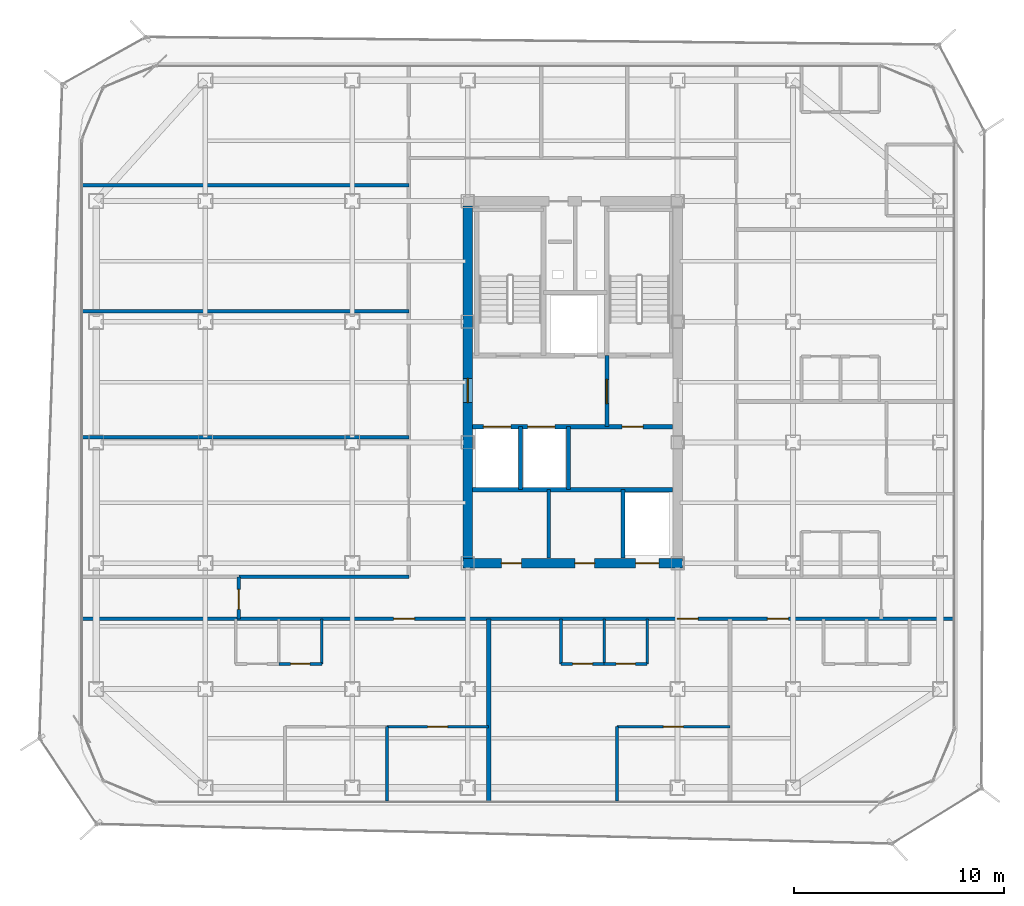
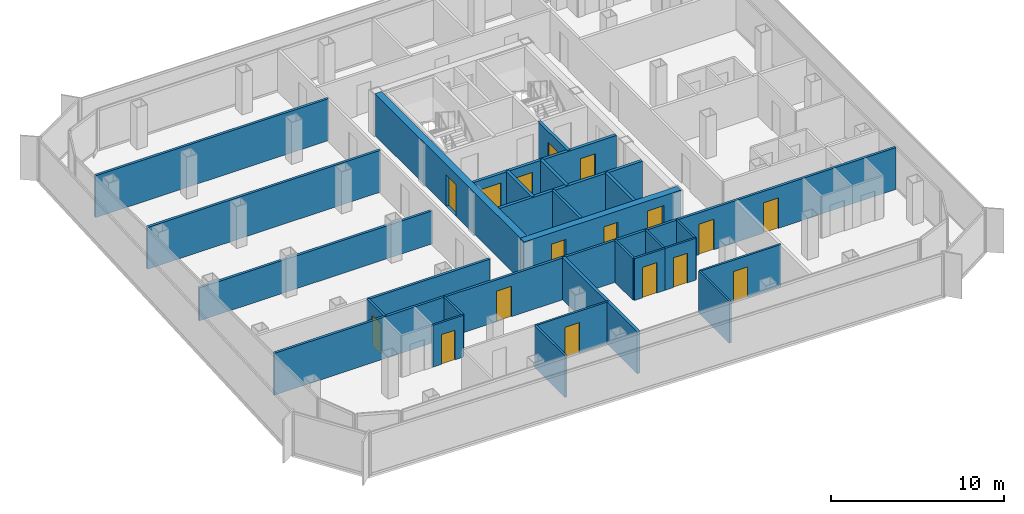
# One storey, part 10 of 15: 27 walls, 17 doors, 17 openings.
"""IFC4 building model written with IfcOpenShell, lengths in metres."""

from ifc_helpers import new_model, si_unit, direction, frame, frame_2d, origin, place, context, subcontext, project, spatial, rectangle, extrude, material, layer, layer_set, type_object, element, fill, save


model = new_model("IFC4")

# Units and contexts
model_context = context("Model", 3, precision=1e-05, world=origin(), true_north=direction((0.0, 1.0)))
body_context = subcontext(model_context, "Body", "Model", "MODEL_VIEW")
ifc_project = project(units=[si_unit("LENGTHUNIT", "METRE"), si_unit("AREAUNIT", "SQUARE_METRE"), si_unit("VOLUMEUNIT", "CUBIC_METRE"), si_unit("PLANEANGLEUNIT", "RADIAN"), si_unit("MASSUNIT", "GRAM", prefix="KILO")], contexts=[model_context])

# Site, building, storey
site_placement = place(None, origin())
site = spatial("IfcSite", under=ifc_project, at=site_placement, CompositionType="ELEMENT")
building_placement = place(site_placement, origin())
building = spatial("IfcBuilding", under=site, at=building_placement, Name="Kolveth Station Tower", CompositionType="ELEMENT")
storey_placement = place(building_placement, frame((0.0, 0.0, 199.60009765625)))
storey = spatial("IfcBuildingStorey", under=building, at=storey_placement, Name="L56", CompositionType="ELEMENT", Elevation=199.60009765625)

# Wall, openings, doors
ifc_material_1 = material(Name="Concrete C50/60", Category="concrete")
ifc_layer_1 = layer(ifc_material_1, 0.449951171875)
ifc_layer_set_1 = layer_set([ifc_layer_1], Name="Concrete C50/60")
wall_type_1 = type_object("IfcWallType", Name="Wall_CW-450", PredefinedType="SHEAR", material=ifc_layer_set_1)
wall_1_placement = place(storey_placement, frame((18.27490234375, 11.5, 0.0), z_axis=(0.0, 0.0, 1.0), x_axis=(1.0, 0.0, 0.0)))
wall_1 = element("IfcWall", 1, at=wall_1_placement, inside=storey, type_object=wall_type_1, Name="L56 Core RC Shear Wall S", PredefinedType="SHEAR", context=body_context, shape_type="SweptSolid", body=[
    extrude(rectangle(XDim=10.4501953125, YDim=0.449951171875, at=frame_2d((5.22509765625, 0.0))), origin(), (0.0, 0.0, 1.0), 2.949951171875),
])
opening_1_placement = place(wall_1_placement, frame((1.824951171875, 0.0, 0.0)))
opening_1 = element("IfcOpeningElement", 2, at=opening_1_placement, cuts=wall_1, Name="Opening ID1", PredefinedType="OPENING", context=body_context, shape_type="SweptSolid", body=[
    extrude(rectangle(XDim=0.949951171875, YDim=2.14990234375, at=frame_2d((0.47509765625, 1.074951171875))), frame((0.0, 0.23486328125, 0.0), z_axis=(0.0, -1.0, 0.0), x_axis=(1.0, 0.0, 0.0)), (0.0, 0.0, 1.0), 0.469970703125),
])
opening_2_placement = place(wall_1_placement, frame((5.324951171875, 0.0, 0.0)))
opening_2 = element("IfcOpeningElement", 3, at=opening_2_placement, cuts=wall_1, Name="Opening ID1", PredefinedType="OPENING", context=body_context, shape_type="SweptSolid", body=[
    extrude(rectangle(XDim=0.949951171875, YDim=2.14990234375, at=frame_2d((0.47509765625, 1.074951171875))), frame((0.0, 0.23486328125, 0.0), z_axis=(0.0, -1.0, 0.0), x_axis=(1.0, 0.0, 0.0)), (0.0, 0.0, 1.0), 0.469970703125),
])
opening_3_placement = place(wall_1_placement, frame((8.22509765625, 0.0, 0.0)))
opening_3 = element("IfcOpeningElement", 4, at=opening_3_placement, cuts=wall_1, Name="Opening LD1", PredefinedType="OPENING", context=body_context, shape_type="SweptSolid", body=[
    extrude(rectangle(XDim=1.10009765625, YDim=2.25, at=frame_2d((0.550048828125, 1.125))), frame((0.0, 0.23486328125, 0.0), z_axis=(0.0, -1.0, 0.0), x_axis=(1.0, 0.0, 0.0)), (0.0, 0.0, 1.0), 0.469970703125),
])
ifc_material_2 = material(Name="Acoustic hardwood leaf and aluminium frame", Category="wood")
door_type_1 = type_object("IfcDoorType", Name="Door_ID1", OperationType="NOTDEFINED", PredefinedType="DOOR", material=ifc_material_2)
door_1_placement = place(opening_1_placement, frame((0.949951171875, 0.0, 0.0), z_axis=(0.0, 0.0, 1.0), x_axis=(-1.0, 0.0, 0.0)))
door_1 = element("IfcDoor", 5, at=door_1_placement, inside=storey, type_object=door_type_1, Name="L56 Laundry Room Door", OperationType="SINGLE_SWING_RIGHT", OverallHeight=2.14990234375, OverallWidth=0.949951171875, PredefinedType="DOOR", context=body_context, shape_type="SweptSolid", body=[
    extrude(rectangle(XDim=0.949951171875, YDim=2.14990234375, at=frame_2d((0.47509765625, 1.074951171875))), frame((0.0, 0.02490234375, 0.0), z_axis=(0.0, -1.0, 0.0), x_axis=(1.0, 0.0, 0.0)), (0.0, 0.0, 1.0), 0.050048828125),
])
fill(opening_1, door_1)
door_2_placement = place(opening_2_placement, frame((0.949951171875, 0.0, 0.0), z_axis=(0.0, 0.0, 1.0), x_axis=(-1.0, 0.0, 0.0)))
door_2 = element("IfcDoor", 6, at=door_2_placement, inside=storey, type_object=door_type_1, Name="L56 Parcel Room Door", OperationType="SINGLE_SWING_LEFT", OverallHeight=2.14990234375, OverallWidth=0.949951171875, PredefinedType="DOOR", context=body_context, shape_type="SweptSolid", body=[
    extrude(rectangle(XDim=0.949951171875, YDim=2.14990234375, at=frame_2d((0.47509765625, 1.074951171875))), frame((0.0, 0.02490234375, 0.0), z_axis=(0.0, -1.0, 0.0), x_axis=(1.0, 0.0, 0.0)), (0.0, 0.0, 1.0), 0.050048828125),
])
fill(opening_2, door_2)
ifc_material_3 = material(Name="Brushed stainless steel sliding landing doors", Category="steel")
door_type_2 = type_object("IfcDoorType", Name="Door_LD1", OperationType="NOTDEFINED", PredefinedType="DOOR", material=ifc_material_3)
door_3_placement = place(opening_3_placement, frame((1.10009765625, 0.0, 0.0), z_axis=(0.0, 0.0, 1.0), x_axis=(-1.0, 0.0, 0.0)))
door_3 = element("IfcDoor", 7, at=door_3_placement, inside=storey, type_object=door_type_2, Name="L56 Lift PH1 Landing Door", OperationType="DOUBLE_DOOR_SLIDING", OverallHeight=2.25, OverallWidth=1.10009765625, PredefinedType="DOOR", context=body_context, shape_type="SweptSolid", body=[
    extrude(rectangle(XDim=1.10009765625, YDim=2.25, at=frame_2d((0.550048828125, 1.125))), frame((0.0, 0.02490234375, 0.0), z_axis=(0.0, -1.0, 0.0), x_axis=(1.0, 0.0, 0.0)), (0.0, 0.0, 1.0), 0.050048828125),
])
fill(opening_3, door_3)

# Wall, opening, door
wall_2_placement = place(storey_placement, frame((18.5, 11.72509765625, 0.0), z_axis=(0.0, 0.0, 1.0), x_axis=(0.0, 1.0, 0.0)))
wall_2 = element("IfcWall", 8, at=wall_2_placement, inside=storey, type_object=wall_type_1, Name="L56 Core RC Shear Wall W", PredefinedType="SHEAR", context=body_context, shape_type="SweptSolid", body=[
    extrude(rectangle(XDim=16.7998046875, YDim=0.449951171875, at=frame_2d((8.39990234375, 0.0))), origin(), (0.0, 0.0, 1.0), 2.949951171875),
])
opening_4_placement = place(wall_2_placement, frame((7.425048828125, 0.0, 0.0)))
opening_4 = element("IfcOpeningElement", 9, at=opening_4_placement, cuts=wall_2, Name="Opening FD1", PredefinedType="OPENING", context=body_context, shape_type="SweptSolid", body=[
    extrude(rectangle(XDim=1.14990234375, YDim=2.199951171875, at=frame_2d((0.574951171875, 1.10009765625))), frame((0.0, 0.23486328125, 0.0), z_axis=(0.0, -1.0, 0.0), x_axis=(1.0, 0.0, 0.0)), (0.0, 0.0, 1.0), 0.469970703125),
])
ifc_material_4 = material(Name="Fire-rated Steel S355 leaf and frame", Category="steel")
door_type_3 = type_object("IfcDoorType", Name="Door_FD1", OperationType="NOTDEFINED", PredefinedType="DOOR", material=ifc_material_4)
door_4_placement = place(opening_4_placement, frame((1.14990234375, 0.0, 0.0), z_axis=(0.0, 0.0, 1.0), x_axis=(-1.0, 0.0, 0.0)))
door_4 = element("IfcDoor", 10, at=door_4_placement, inside=storey, type_object=door_type_3, Name="L56 West Corridor to Firefighting Lobby Door", OperationType="SINGLE_SWING_RIGHT", OverallHeight=2.199951171875, OverallWidth=1.14990234375, PredefinedType="DOOR", context=body_context, shape_type="SweptSolid", body=[
    extrude(rectangle(XDim=1.14990234375, YDim=2.199951171875, at=frame_2d((0.574951171875, 1.10009765625))), frame((0.0, 0.02490234375, 0.0), z_axis=(0.0, -1.0, 0.0), x_axis=(1.0, 0.0, 0.0)), (0.0, 0.0, 1.0), 0.050048828125),
])
fill(opening_4, door_4)

ifc_material_5 = material(Name="Moisture-resistant gypsum partition")
ifc_layer_2 = layer(ifc_material_5, 0.135009765625)
ifc_layer_set_2 = layer_set([ifc_layer_2], Name="Moisture-resistant gypsum partition")
wall_type_2 = type_object("IfcWallType", Name="Wall_IW-135", PredefinedType="PARTITIONING", material=ifc_layer_set_2)
wall_3_placement = place(storey_placement, frame((9.5, 6.699951171875, 0.0), z_axis=(0.0, 0.0, 1.0), x_axis=(1.0, 0.0, 0.0)))
wall_3 = element("IfcWall", 11, at=wall_3_placement, inside=storey, type_object=wall_type_2, Name="L56 Partition Wall WL-L56-A1-IBHB", PredefinedType="PARTITIONING", context=body_context, shape_type="SweptSolid", body=[
    extrude(rectangle(XDim=2.050048828125, YDim=0.135009765625, at=frame_2d((1.02490234375, 0.0))), origin(), (0.0, 0.0, 1.0), 2.949951171875),
])
opening_5_placement = place(wall_3_placement, frame((0.56494140625, 0.0, 0.0)))
opening_5 = element("IfcOpeningElement", 12, at=opening_5_placement, cuts=wall_3, Name="Opening ID2", PredefinedType="OPENING", context=body_context, shape_type="SweptSolid", body=[
    extrude(rectangle(XDim=0.919921875, YDim=2.10009765625, at=frame_2d((0.4599609375, 1.050048828125))), frame((0.0, 0.077392578125, 0.0), z_axis=(0.0, -1.0, 0.0), x_axis=(1.0, 0.0, 0.0)), (0.0, 0.0, 1.0), 0.155029296875),
])
ifc_material_6 = material(Name="Moisture-resistant hardwood leaf", Category="wood")
door_type_4 = type_object("IfcDoorType", Name="Door_ID2", OperationType="NOTDEFINED", PredefinedType="DOOR", material=ifc_material_6)
door_5_placement = place(opening_5_placement, origin())
door_5 = element("IfcDoor", 13, at=door_5_placement, inside=storey, type_object=door_type_4, Name="Penthouse Flat L56-A1 Bathroom Door", OperationType="SINGLE_SWING_LEFT", OverallHeight=2.10009765625, OverallWidth=0.919921875, PredefinedType="DOOR", context=body_context, shape_type="SweptSolid", body=[
    extrude(rectangle(XDim=0.919921875, YDim=2.10009765625, at=frame_2d((0.4599609375, 1.050048828125))), frame((0.0, 0.02490234375, 0.0), z_axis=(0.0, -1.0, 0.0), x_axis=(1.0, 0.0, 0.0)), (0.0, 0.0, 1.0), 0.050048828125),
])
fill(opening_5, door_5)

# Wall
wall_4_placement = place(storey_placement, frame((11.550048828125, 6.699951171875, 0.0), z_axis=(0.0, 0.0, 1.0), x_axis=(0.0, 1.0, 0.0)))
element("IfcWall", 14, at=wall_4_placement, inside=storey, type_object=wall_type_2, Name="L56 Partition Wall WL-L56-A1-IBV2", PredefinedType="PARTITIONING", context=body_context, shape_type="SweptSolid", body=[
    extrude(rectangle(XDim=2.150146484375, YDim=0.135009765625, at=frame_2d((1.0751953125, 0.0))), origin(), (0.0, 0.0, 1.0), 2.949951171875),
])

# Wall, opening, door
wall_5_placement = place(storey_placement, frame((14.6484375, 3.7099609375, 0.0), z_axis=(0.0, 0.0, 1.0), x_axis=(1.0, 0.0, 0.0)))
wall_5 = element("IfcWall", 15, at=wall_5_placement, inside=storey, type_object=wall_type_2, Name="L56 Partition Wall WL-L56-A1-BDH2", PredefinedType="PARTITIONING", context=body_context, shape_type="SweptSolid", body=[
    extrude(rectangle(XDim=4.8515625, YDim=0.135009765625, at=frame_2d((2.42578125, 0.0))), origin(), (0.0, 0.0, 1.0), 2.949951171875),
])
opening_6_placement = place(wall_5_placement, frame((1.946044921875, 0.0, 0.0)))
opening_6 = element("IfcOpeningElement", 16, at=opening_6_placement, cuts=wall_5, Name="Opening ID1", PredefinedType="OPENING", context=body_context, shape_type="SweptSolid", body=[
    extrude(rectangle(XDim=0.949951171875, YDim=2.14990234375, at=frame_2d((0.47509765625, 1.074951171875))), frame((0.0, 0.077392578125, 0.0), z_axis=(0.0, -1.0, 0.0), x_axis=(1.0, 0.0, 0.0)), (0.0, 0.0, 1.0), 0.155029296875),
])
door_6_placement = place(opening_6_placement, frame((0.949951171875, 0.0, 0.0), z_axis=(0.0, 0.0, 1.0), x_axis=(-1.0, 0.0, 0.0)))
door_6 = element("IfcDoor", 17, at=door_6_placement, inside=storey, type_object=door_type_1, Name="Penthouse Flat L56-A1 Bedroom 2 Door", OperationType="SINGLE_SWING_LEFT", OverallHeight=2.14990234375, OverallWidth=0.949951171875, PredefinedType="DOOR", context=body_context, shape_type="SweptSolid", body=[
    extrude(rectangle(XDim=0.949951171875, YDim=2.14990234375, at=frame_2d((0.47509765625, 1.074951171875))), frame((0.0, 0.02490234375, 0.0), z_axis=(0.0, -1.0, 0.0), x_axis=(1.0, 0.0, 0.0)), (0.0, 0.0, 1.0), 0.050048828125),
])
fill(opening_6, door_6)

# Wall
wall_6_placement = place(storey_placement, frame((14.6484375, 0.159912109375, 0.0), z_axis=(0.0, 0.0, 1.0), x_axis=(0.0, 1.0, 0.0)))
element("IfcWall", 18, at=wall_6_placement, inside=storey, type_object=wall_type_2, Name="L56 Partition Wall WL-L56-A1-BDV1", PredefinedType="PARTITIONING", context=body_context, shape_type="SweptSolid", body=[
    extrude(rectangle(XDim=3.550048828125, YDim=0.135009765625, at=frame_2d((1.77490234375, 0.0))), origin(), (0.0, 0.0, 1.0), 2.949951171875),
])

# Wall, opening, door
wall_7_placement = place(storey_placement, frame((22.949951171875, 6.699951171875, 0.0), z_axis=(0.0, 0.0, 1.0), x_axis=(1.0, 0.0, 0.0)))
wall_7 = element("IfcWall", 19, at=wall_7_placement, inside=storey, type_object=wall_type_2, Name="L56 Partition Wall WL-L56-A2-IBHK", PredefinedType="PARTITIONING", context=body_context, shape_type="SweptSolid", body=[
    extrude(rectangle(XDim=2.050048828125, YDim=0.135009765625, at=frame_2d((1.02490234375, 0.0))), origin(), (0.0, 0.0, 1.0), 2.949951171875),
])
opening_7_placement = place(wall_7_placement, frame((0.544921875, 0.0, 0.0)))
opening_7 = element("IfcOpeningElement", 20, at=opening_7_placement, cuts=wall_7, Name="Opening ID1", PredefinedType="OPENING", context=body_context, shape_type="SweptSolid", body=[
    extrude(rectangle(XDim=0.949951171875, YDim=2.14990234375, at=frame_2d((0.47509765625, 1.074951171875))), frame((0.0, 0.077392578125, 0.0), z_axis=(0.0, -1.0, 0.0), x_axis=(1.0, 0.0, 0.0)), (0.0, 0.0, 1.0), 0.155029296875),
])
door_7_placement = place(opening_7_placement, origin())
door_7 = element("IfcDoor", 21, at=door_7_placement, inside=storey, type_object=door_type_1, Name="Flat L56-A2 Kitchen Door", OperationType="SINGLE_SWING_LEFT", OverallHeight=2.14990234375, OverallWidth=0.949951171875, PredefinedType="DOOR", context=body_context, shape_type="SweptSolid", body=[
    extrude(rectangle(XDim=0.949951171875, YDim=2.14990234375, at=frame_2d((0.47509765625, 1.074951171875))), frame((0.0, 0.02490234375, 0.0), z_axis=(0.0, -1.0, 0.0), x_axis=(1.0, 0.0, 0.0)), (0.0, 0.0, 1.0), 0.050048828125),
])
fill(opening_7, door_7)

wall_8_placement = place(storey_placement, frame((25.0, 6.699951171875, 0.0), z_axis=(0.0, 0.0, 1.0), x_axis=(1.0, 0.0, 0.0)))
wall_8 = element("IfcWall", 22, at=wall_8_placement, inside=storey, type_object=wall_type_2, Name="L56 Partition Wall WL-L56-A2-IBHB", PredefinedType="PARTITIONING", context=body_context, shape_type="SweptSolid", body=[
    extrude(rectangle(XDim=2.050048828125, YDim=0.135009765625, at=frame_2d((1.02490234375, 0.0))), origin(), (0.0, 0.0, 1.0), 2.949951171875),
])
opening_8_placement = place(wall_8_placement, frame((0.56494140625, 0.0, 0.0)))
opening_8 = element("IfcOpeningElement", 23, at=opening_8_placement, cuts=wall_8, Name="Opening ID2", PredefinedType="OPENING", context=body_context, shape_type="SweptSolid", body=[
    extrude(rectangle(XDim=0.919921875, YDim=2.10009765625, at=frame_2d((0.4599609375, 1.050048828125))), frame((0.0, 0.077392578125, 0.0), z_axis=(0.0, -1.0, 0.0), x_axis=(1.0, 0.0, 0.0)), (0.0, 0.0, 1.0), 0.155029296875),
])
door_8_placement = place(opening_8_placement, origin())
door_8 = element("IfcDoor", 24, at=door_8_placement, inside=storey, type_object=door_type_4, Name="Flat L56-A2 Bathroom Door", OperationType="SINGLE_SWING_RIGHT", OverallHeight=2.10009765625, OverallWidth=0.919921875, PredefinedType="DOOR", context=body_context, shape_type="SweptSolid", body=[
    extrude(rectangle(XDim=0.919921875, YDim=2.10009765625, at=frame_2d((0.4599609375, 1.050048828125))), frame((0.0, 0.02490234375, 0.0), z_axis=(0.0, -1.0, 0.0), x_axis=(1.0, 0.0, 0.0)), (0.0, 0.0, 1.0), 0.050048828125),
])
fill(opening_8, door_8)

# Walls
for number, where, z_axis, x_axis, name in (
    (25, (22.949951171875, 6.699951171875, 0.0), (0.0, 0.0, 1.0), (0.0, 1.0, 0.0), "L56 Partition Wall WL-L56-A2-IBV0"),
    (26, (25.0, 6.699951171875, 0.0), (0.0, 0.0, 1.0), (0.0, 1.0, 0.0), "L56 Partition Wall WL-L56-A2-IBV1"),
    (27, (27.050048828125, 6.699951171875, 0.0), (0.0, 0.0, 1.0), (0.0, 1.0, 0.0), "L56 Partition Wall WL-L56-A2-IBV2"),
):
    element("IfcWall", number, at=place(storey_placement, frame(where, z_axis=z_axis, x_axis=x_axis)), inside=storey, type_object=wall_type_2, Name=name, PredefinedType="PARTITIONING", context=body_context, shape_type="SweptSolid", body=[
        extrude(rectangle(XDim=2.150146484375, YDim=0.135009765625, at=frame_2d((1.0751953125, 0.0))), origin(), (0.0, 0.0, 1.0), 2.949951171875),
    ])
wall_9_placement = place(storey_placement, frame((25.60595703125, 0.159912109375, 0.0), z_axis=(0.0, 0.0, 1.0), x_axis=(0.0, 1.0, 0.0)))
element("IfcWall", 28, at=wall_9_placement, inside=storey, type_object=wall_type_2, Name="L56 Partition Wall WL-L56-A2-BDV0", PredefinedType="PARTITIONING", context=body_context, shape_type="SweptSolid", body=[
    extrude(rectangle(XDim=3.550048828125, YDim=0.135009765625, at=frame_2d((1.77490234375, 0.0))), origin(), (0.0, 0.0, 1.0), 2.949951171875),
])

# Wall, opening, door
wall_10_placement = place(storey_placement, frame((25.60595703125, 3.7099609375, 0.0), z_axis=(0.0, 0.0, 1.0), x_axis=(1.0, 0.0, 0.0)))
wall_10 = element("IfcWall", 29, at=wall_10_placement, inside=storey, type_object=wall_type_2, Name="L56 Partition Wall WL-L56-A2-BDH1", PredefinedType="PARTITIONING", context=body_context, shape_type="SweptSolid", body=[
    extrude(rectangle(XDim=5.39404296875, YDim=0.135009765625, at=frame_2d((2.697021484375, 0.0))), origin(), (0.0, 0.0, 1.0), 2.949951171875),
])
opening_9_placement = place(wall_10_placement, frame((2.217041015625, 0.0, 0.0)))
opening_9 = element("IfcOpeningElement", 30, at=opening_9_placement, cuts=wall_10, Name="Opening ID1", PredefinedType="OPENING", context=body_context, shape_type="SweptSolid", body=[
    extrude(rectangle(XDim=0.949951171875, YDim=2.14990234375, at=frame_2d((0.47509765625, 1.074951171875))), frame((0.0, 0.077392578125, 0.0), z_axis=(0.0, -1.0, 0.0), x_axis=(1.0, 0.0, 0.0)), (0.0, 0.0, 1.0), 0.155029296875),
])
door_9_placement = place(opening_9_placement, frame((0.949951171875, 0.0, 0.0), z_axis=(0.0, 0.0, 1.0), x_axis=(-1.0, 0.0, 0.0)))
door_9 = element("IfcDoor", 31, at=door_9_placement, inside=storey, type_object=door_type_1, Name="Flat L56-A2 Bedroom 1 Door", OperationType="SINGLE_SWING_LEFT", OverallHeight=2.14990234375, OverallWidth=0.949951171875, PredefinedType="DOOR", context=body_context, shape_type="SweptSolid", body=[
    extrude(rectangle(XDim=0.949951171875, YDim=2.14990234375, at=frame_2d((0.47509765625, 1.074951171875))), frame((0.0, 0.02490234375, 0.0), z_axis=(0.0, -1.0, 0.0), x_axis=(1.0, 0.0, 0.0)), (0.0, 0.0, 1.0), 0.050048828125),
])
fill(opening_9, door_9)

# Wall
ifc_material_7 = material(Name="Acoustic double-stud gypsum partition")
ifc_layer_3 = layer(ifc_material_7, 0.1650390625)
ifc_layer_set_3 = layer_set([ifc_layer_3], Name="Acoustic double-stud gypsum partition")
wall_type_3 = type_object("IfcWallType", Name="Wall_IW-165", PredefinedType="PARTITIONING", material=ifc_layer_set_3)
wall_11_placement = place(storey_placement, frame((22.35009765625, 11.735107421875, 0.0), z_axis=(0.0, 0.0, 1.0), x_axis=(0.0, 1.0, 0.0)))
element("IfcWall", 32, at=wall_11_placement, inside=storey, type_object=wall_type_3, Name="L56 Partition Wall WL-L56-FR-M", PredefinedType="PARTITIONING", context=body_context, shape_type="SweptSolid", body=[
    extrude(rectangle(XDim=3.264892578125, YDim=0.1650390625, at=frame_2d((1.63232421875, 0.0))), origin(), (0.0, 0.0, 1.0), 2.949951171875),
])

# Wall, openings, doors
wall_12_placement = place(storey_placement, frame((0.159912109375, 8.85009765625, 0.0), z_axis=(0.0, 0.0, 1.0), x_axis=(1.0, 0.0, 0.0)))
wall_12 = element("IfcWall", 33, at=wall_12_placement, inside=storey, type_object=wall_type_3, Name="L56 Partition Wall WL-L56-RS", PredefinedType="PARTITIONING", context=body_context, shape_type="SweptSolid", body=[
    extrude(rectangle(XDim=41.47998046875, YDim=0.1650390625, at=frame_2d((20.739990234375, 0.0))), origin(), (0.0, 0.0, 1.0), 2.949951171875),
])
opening_10_placement = place(wall_12_placement, frame((14.81494140625, 0.0, 0.0)))
opening_10 = element("IfcOpeningElement", 34, at=opening_10_placement, cuts=wall_12, Name="Opening FD3", PredefinedType="OPENING", context=body_context, shape_type="SweptSolid", body=[
    extrude(rectangle(XDim=1.0, YDim=2.14990234375, at=frame_2d((0.5, 1.074951171875))), frame((0.0, 0.092529296875, 0.0), z_axis=(0.0, -1.0, 0.0), x_axis=(1.0, 0.0, 0.0)), (0.0, 0.0, 1.0), 0.18505859375),
])
opening_11_placement = place(wall_12_placement, frame((28.31494140625, 0.0, 0.0)))
opening_11 = element("IfcOpeningElement", 35, at=opening_11_placement, cuts=wall_12, Name="Opening FD3", PredefinedType="OPENING", context=body_context, shape_type="SweptSolid", body=[
    extrude(rectangle(XDim=1.0, YDim=2.14990234375, at=frame_2d((0.5, 1.074951171875))), frame((0.0, 0.092529296875, 0.0), z_axis=(0.0, -1.0, 0.0), x_axis=(1.0, 0.0, 0.0)), (0.0, 0.0, 1.0), 0.18505859375),
])
opening_12_placement = place(wall_12_placement, frame((32.614990234375, 0.0, 0.0)))
opening_12 = element("IfcOpeningElement", 36, at=opening_12_placement, cuts=wall_12, Name="Opening FD3", PredefinedType="OPENING", context=body_context, shape_type="SweptSolid", body=[
    extrude(rectangle(XDim=1.0, YDim=2.14990234375, at=frame_2d((0.5, 1.074951171875))), frame((0.0, 0.092529296875, 0.0), z_axis=(0.0, -1.0, 0.0), x_axis=(1.0, 0.0, 0.0)), (0.0, 0.0, 1.0), 0.18505859375),
])
ifc_material_8 = material(Name="Fire-rated hardwood leaf and aluminium frame", Category="wood")
door_type_5 = type_object("IfcDoorType", Name="Door_FD3", OperationType="NOTDEFINED", PredefinedType="DOOR", material=ifc_material_8)
door_10_placement = place(opening_10_placement, frame((1.0, 0.0, 0.0), z_axis=(0.0, 0.0, 1.0), x_axis=(-1.0, 0.0, 0.0)))
door_10 = element("IfcDoor", 37, at=door_10_placement, inside=storey, type_object=door_type_5, Name="Penthouse Flat L56-A1 Entrance Door", OperationType="SINGLE_SWING_RIGHT", OverallHeight=2.14990234375, OverallWidth=1.0, PredefinedType="DOOR", context=body_context, shape_type="SweptSolid", body=[
    extrude(rectangle(XDim=1.0, YDim=2.14990234375, at=frame_2d((0.5, 1.074951171875))), frame((0.0, 0.02490234375, 0.0), z_axis=(0.0, -1.0, 0.0), x_axis=(1.0, 0.0, 0.0)), (0.0, 0.0, 1.0), 0.050048828125),
])
fill(opening_10, door_10)
door_11_placement = place(opening_11_placement, frame((1.0, 0.0, 0.0), z_axis=(0.0, 0.0, 1.0), x_axis=(-1.0, 0.0, 0.0)))
door_11 = element("IfcDoor", 38, at=door_11_placement, inside=storey, type_object=door_type_5, Name="Flat L56-A2 Entrance Door", OperationType="SINGLE_SWING_RIGHT", OverallHeight=2.14990234375, OverallWidth=1.0, PredefinedType="DOOR", context=body_context, shape_type="SweptSolid", body=[
    extrude(rectangle(XDim=1.0, YDim=2.14990234375, at=frame_2d((0.5, 1.074951171875))), frame((0.0, 0.02490234375, 0.0), z_axis=(0.0, -1.0, 0.0), x_axis=(1.0, 0.0, 0.0)), (0.0, 0.0, 1.0), 0.050048828125),
])
fill(opening_11, door_11)
door_12_placement = place(opening_12_placement, frame((1.0, 0.0, 0.0), z_axis=(0.0, 0.0, 1.0), x_axis=(-1.0, 0.0, 0.0)))
door_12 = element("IfcDoor", 39, at=door_12_placement, inside=storey, type_object=door_type_5, Name="Flat L56-A3 Entrance Door", OperationType="SINGLE_SWING_LEFT", OverallHeight=2.14990234375, OverallWidth=1.0, PredefinedType="DOOR", context=body_context, shape_type="SweptSolid", body=[
    extrude(rectangle(XDim=1.0, YDim=2.14990234375, at=frame_2d((0.5, 1.074951171875))), frame((0.0, 0.02490234375, 0.0), z_axis=(0.0, -1.0, 0.0), x_axis=(1.0, 0.0, 0.0)), (0.0, 0.0, 1.0), 0.050048828125),
])
fill(opening_12, door_12)

# Wall
wall_13_placement = place(storey_placement, frame((7.60009765625, 10.85009765625, 0.0), z_axis=(0.0, 0.0, 1.0), x_axis=(1.0, 0.0, 0.0)))
element("IfcWall", 40, at=wall_13_placement, inside=storey, type_object=wall_type_3, Name="L56 Partition Wall WL-L56-RSWT", PredefinedType="PARTITIONING", context=body_context, shape_type="SweptSolid", body=[
    extrude(rectangle(XDim=8.099853515625, YDim=0.1650390625, at=frame_2d((4.0498046875, 0.0))), origin(), (0.0, 0.0, 1.0), 2.949951171875),
])

# Wall, opening, door
wall_14_placement = place(storey_placement, frame((7.60009765625, 8.85009765625, 0.0), z_axis=(0.0, 0.0, 1.0), x_axis=(0.0, 1.0, 0.0)))
wall_14 = element("IfcWall", 41, at=wall_14_placement, inside=storey, type_object=wall_type_3, Name="L56 Partition Wall WL-L56-RSWE", PredefinedType="PARTITIONING", context=body_context, shape_type="SweptSolid", body=[
    extrude(rectangle(XDim=2.0, YDim=0.1650390625, at=frame_2d((1.0, 0.0))), origin(), (0.0, 0.0, 1.0), 2.949951171875),
])
opening_13_placement = place(wall_14_placement, frame((0.449951171875, 0.0, 0.0)))
opening_13 = element("IfcOpeningElement", 42, at=opening_13_placement, cuts=wall_14, Name="Opening ID1", PredefinedType="OPENING", context=body_context, shape_type="SweptSolid", body=[
    extrude(rectangle(XDim=0.949951171875, YDim=2.14990234375, at=frame_2d((0.47509765625, 1.074951171875))), frame((0.0, 0.092529296875, 0.0), z_axis=(0.0, -1.0, 0.0), x_axis=(1.0, 0.0, 0.0)), (0.0, 0.0, 1.0), 0.18505859375),
])
door_13_placement = place(opening_13_placement, frame((0.949951171875, 0.0, 0.0), z_axis=(0.0, 0.0, 1.0), x_axis=(-1.0, 0.0, 0.0)))
door_13 = element("IfcDoor", 43, at=door_13_placement, inside=storey, type_object=door_type_1, Name="L56 West Store Door", OperationType="SINGLE_SWING_RIGHT", OverallHeight=2.14990234375, OverallWidth=0.949951171875, PredefinedType="DOOR", context=body_context, shape_type="SweptSolid", body=[
    extrude(rectangle(XDim=0.949951171875, YDim=2.14990234375, at=frame_2d((0.47509765625, 1.074951171875))), frame((0.0, 0.02490234375, 0.0), z_axis=(0.0, -1.0, 0.0), x_axis=(1.0, 0.0, 0.0)), (0.0, 0.0, 1.0), 0.050048828125),
])
fill(opening_13, door_13)

# Walls
wall_15_placement = place(storey_placement, frame((0.159912109375, 17.5, 0.0), z_axis=(0.0, 0.0, 1.0), x_axis=(1.0, 0.0, 0.0)))
element("IfcWall", 44, at=wall_15_placement, inside=storey, type_object=wall_type_3, Name="L56 Partition Wall WL-L56-RWA-P1", PredefinedType="PARTITIONING", context=body_context, shape_type="SweptSolid", body=[
    extrude(rectangle(XDim=15.5400390625, YDim=0.1650390625, at=frame_2d((7.77001953125, 0.0))), origin(), (0.0, 0.0, 1.0), 2.322998046875),
])
for number, where, z_axis, x_axis, name in (
    (45, (0.159912109375, 23.5, 0.0), (0.0, 0.0, 1.0), (1.0, 0.0, 0.0), "L56 Partition Wall WL-L56-RWA-P2"),
    (46, (0.159912109375, 29.5, 0.0), (0.0, 0.0, 1.0), (1.0, 0.0, 0.0), "L56 Partition Wall WL-L56-RWA-P3"),
):
    element("IfcWall", number, at=place(storey_placement, frame(where, z_axis=z_axis, x_axis=x_axis)), inside=storey, type_object=wall_type_3, Name=name, PredefinedType="PARTITIONING", context=body_context, shape_type="SweptSolid", body=[
        extrude(rectangle(XDim=15.5400390625, YDim=0.1650390625, at=frame_2d((7.77001953125, 0.0))), origin(), (0.0, 0.0, 1.0), 2.949951171875),
    ])

# Wall, opening, door
ifc_material_9 = material(Name="Acoustic fire-rated gypsum blockwork", Category="masonry")
ifc_layer_4 = layer(ifc_material_9, 0.199951171875)
ifc_layer_set_4 = layer_set([ifc_layer_4], Name="Acoustic fire-rated gypsum blockwork")
wall_type_4 = type_object("IfcWallType", Name="Wall_IW-200", PredefinedType="PARTITIONING", material=ifc_layer_set_4)
wall_16_placement = place(storey_placement, frame((25.1298828125, 18.0, 0.0), z_axis=(0.0, 0.0, 1.0), x_axis=(0.0, 1.0, 0.0)))
wall_16 = element("IfcWall", 47, at=wall_16_placement, inside=storey, type_object=wall_type_4, Name="L56 Partition Wall WL-L56-FFL-E", PredefinedType="PARTITIONING", context=body_context, shape_type="SweptSolid", body=[
    extrude(rectangle(XDim=3.389892578125, YDim=0.199951171875, at=frame_2d((1.69482421875, 0.0))), origin(), (0.0, 0.0, 1.0), 2.949951171875),
])
opening_14_placement = place(wall_16_placement, frame((1.10009765625, 0.0, 0.0)))
opening_14 = element("IfcOpeningElement", 48, at=opening_14_placement, cuts=wall_16, Name="Opening FD1", PredefinedType="OPENING", context=body_context, shape_type="SweptSolid", body=[
    extrude(rectangle(XDim=1.14990234375, YDim=2.199951171875, at=frame_2d((0.574951171875, 1.10009765625))), frame((0.0, 0.10986328125, 0.0), z_axis=(0.0, -1.0, 0.0), x_axis=(1.0, 0.0, 0.0)), (0.0, 0.0, 1.0), 0.219970703125),
])
door_14_placement = place(opening_14_placement, origin())
door_14 = element("IfcDoor", 49, at=door_14_placement, inside=storey, type_object=door_type_3, Name="L56 Firefighting to Stair Lobby Door", OperationType="SINGLE_SWING_RIGHT", OverallHeight=2.199951171875, OverallWidth=1.14990234375, PredefinedType="DOOR", context=body_context, shape_type="SweptSolid", body=[
    extrude(rectangle(XDim=1.14990234375, YDim=2.199951171875, at=frame_2d((0.574951171875, 1.10009765625))), frame((0.0, 0.02490234375, 0.0), z_axis=(0.0, -1.0, 0.0), x_axis=(1.0, 0.0, 0.0)), (0.0, 0.0, 1.0), 0.050048828125),
])
fill(opening_14, door_14)

# Wall, openings, doors
wall_17_placement = place(storey_placement, frame((18.735107421875, 18.0, 0.0), z_axis=(0.0, 0.0, 1.0), x_axis=(1.0, 0.0, 0.0)))
wall_17 = element("IfcWall", 50, at=wall_17_placement, inside=storey, type_object=wall_type_4, Name="L56 Partition Wall WL-L56-FFL-S", PredefinedType="PARTITIONING", context=body_context, shape_type="SweptSolid", body=[
    extrude(rectangle(XDim=9.52978515625, YDim=0.199951171875, at=frame_2d((4.764892578125, 0.0))), origin(), (0.0, 0.0, 1.0), 2.949951171875),
])
opening_15_placement = place(wall_17_placement, frame((0.514892578125, 0.0, 0.0)))
opening_15 = element("IfcOpeningElement", 51, at=opening_15_placement, cuts=wall_17, Name="Opening LD2", PredefinedType="OPENING", context=body_context, shape_type="SweptSolid", body=[
    extrude(rectangle(XDim=1.300048828125, YDim=2.300048828125, at=frame_2d((0.64990234375, 1.14990234375))), frame((0.0, 0.10986328125, 0.0), z_axis=(0.0, -1.0, 0.0), x_axis=(1.0, 0.0, 0.0)), (0.0, 0.0, 1.0), 0.219970703125),
])
opening_16_placement = place(wall_17_placement, frame((2.614990234375, 0.0, 0.0)))
opening_16 = element("IfcOpeningElement", 52, at=opening_16_placement, cuts=wall_17, Name="Opening LD2", PredefinedType="OPENING", context=body_context, shape_type="SweptSolid", body=[
    extrude(rectangle(XDim=1.300048828125, YDim=2.300048828125, at=frame_2d((0.64990234375, 1.14990234375))), frame((0.0, 0.10986328125, 0.0), z_axis=(0.0, -1.0, 0.0), x_axis=(1.0, 0.0, 0.0)), (0.0, 0.0, 1.0), 0.219970703125),
])
opening_17_placement = place(wall_17_placement, frame((7.114990234375, 0.0, 0.0)))
opening_17 = element("IfcOpeningElement", 53, at=opening_17_placement, cuts=wall_17, Name="Opening FD3", PredefinedType="OPENING", context=body_context, shape_type="SweptSolid", body=[
    extrude(rectangle(XDim=1.0, YDim=2.14990234375, at=frame_2d((0.5, 1.074951171875))), frame((0.0, 0.10986328125, 0.0), z_axis=(0.0, -1.0, 0.0), x_axis=(1.0, 0.0, 0.0)), (0.0, 0.0, 1.0), 0.219970703125),
])
door_15_placement = place(opening_17_placement, frame((1.0, 0.0, 0.0), z_axis=(0.0, 0.0, 1.0), x_axis=(-1.0, 0.0, 0.0)))
door_15 = element("IfcDoor", 54, at=door_15_placement, inside=storey, type_object=door_type_5, Name="L56 Core Staff Pantry Door", OperationType="SINGLE_SWING_LEFT", OverallHeight=2.14990234375, OverallWidth=1.0, PredefinedType="DOOR", context=body_context, shape_type="SweptSolid", body=[
    extrude(rectangle(XDim=1.0, YDim=2.14990234375, at=frame_2d((0.5, 1.074951171875))), frame((0.0, 0.02490234375, 0.0), z_axis=(0.0, -1.0, 0.0), x_axis=(1.0, 0.0, 0.0)), (0.0, 0.0, 1.0), 0.050048828125),
])
fill(opening_17, door_15)
ifc_material_10 = material(Name="Firefighting stainless steel sliding landing doors", Category="steel")
door_type_6 = type_object("IfcDoorType", Name="Door_LD2", OperationType="NOTDEFINED", PredefinedType="DOOR", material=ifc_material_10)
door_16_placement = place(opening_15_placement, origin())
door_16 = element("IfcDoor", 55, at=door_16_placement, inside=storey, type_object=door_type_6, Name="L56 Firefighting Lift FF1 Landing Door", OperationType="DOUBLE_DOOR_SLIDING", OverallHeight=2.300048828125, OverallWidth=1.300048828125, PredefinedType="DOOR", context=body_context, shape_type="SweptSolid", body=[
    extrude(rectangle(XDim=1.300048828125, YDim=2.300048828125, at=frame_2d((0.64990234375, 1.14990234375))), frame((0.0, 0.02490234375, 0.0), z_axis=(0.0, -1.0, 0.0), x_axis=(1.0, 0.0, 0.0)), (0.0, 0.0, 1.0), 0.050048828125),
])
fill(opening_15, door_16)
door_17_placement = place(opening_16_placement, origin())
door_17 = element("IfcDoor", 56, at=door_17_placement, inside=storey, type_object=door_type_6, Name="L56 Firefighting Lift FF2 Landing Door", OperationType="DOUBLE_DOOR_SLIDING", OverallHeight=2.300048828125, OverallWidth=1.300048828125, PredefinedType="DOOR", context=body_context, shape_type="SweptSolid", body=[
    extrude(rectangle(XDim=1.300048828125, YDim=2.300048828125, at=frame_2d((0.64990234375, 1.14990234375))), frame((0.0, 0.02490234375, 0.0), z_axis=(0.0, -1.0, 0.0), x_axis=(1.0, 0.0, 0.0)), (0.0, 0.0, 1.0), 0.050048828125),
])
fill(opening_16, door_17)

# Walls
for number, where, z_axis, x_axis, name in (
    (57, (21.02001953125, 15.0, 0.0), (0.0, 0.0, 1.0), (0.0, 1.0, 0.0), "L56 Partition Wall WL-L56-FF12"),
    (58, (23.300048828125, 15.0, 0.0), (0.0, 0.0, 1.0), (0.0, 1.0, 0.0), "L56 Partition Wall WL-L56-FF2E"),
):
    element("IfcWall", number, at=place(storey_placement, frame(where, z_axis=z_axis, x_axis=x_axis)), inside=storey, type_object=wall_type_4, Name=name, PredefinedType="PARTITIONING", context=body_context, shape_type="SweptSolid", body=[
        extrude(rectangle(XDim=3.0, YDim=0.199951171875, at=frame_2d((1.5, 0.0))), origin(), (0.0, 0.0, 1.0), 2.949951171875),
    ])
wall_18_placement = place(storey_placement, frame((18.735107421875, 15.0, 0.0), z_axis=(0.0, 0.0, 1.0), x_axis=(1.0, 0.0, 0.0)))
element("IfcWall", 59, at=wall_18_placement, inside=storey, type_object=wall_type_4, Name="L56 Partition Wall WL-L56-BOH-S", PredefinedType="PARTITIONING", context=body_context, shape_type="SweptSolid", body=[
    extrude(rectangle(XDim=9.52978515625, YDim=0.199951171875, at=frame_2d((4.764892578125, 0.0))), origin(), (0.0, 0.0, 1.0), 2.949951171875),
])
wall_19_placement = place(storey_placement, frame((25.89990234375, 11.735107421875, 0.0), z_axis=(0.0, 0.0, 1.0), x_axis=(0.0, 1.0, 0.0)))
element("IfcWall", 60, at=wall_19_placement, inside=storey, type_object=wall_type_4, Name="L56 Partition Wall WL-L56-PMPH", PredefinedType="PARTITIONING", context=body_context, shape_type="SweptSolid", body=[
    extrude(rectangle(XDim=3.264892578125, YDim=0.199951171875, at=frame_2d((1.63232421875, 0.0))), origin(), (0.0, 0.0, 1.0), 2.949951171875),
])
wall_20_placement = place(storey_placement, frame((19.5, 0.159912109375, 0.0), z_axis=(0.0, 0.0, 1.0), x_axis=(0.0, 1.0, 0.0)))
element("IfcWall", 61, at=wall_20_placement, inside=storey, type_object=wall_type_4, Name="L56 Partition Wall WL-L56-RSU-1", PredefinedType="PARTITIONING", context=body_context, shape_type="SweptSolid", body=[
    extrude(rectangle(XDim=8.690185546875, YDim=0.199951171875, at=frame_2d((4.34521484375, 0.0))), origin(), (0.0, 0.0, 1.0), 2.949951171875),
])

save(model, "model.ifc")
